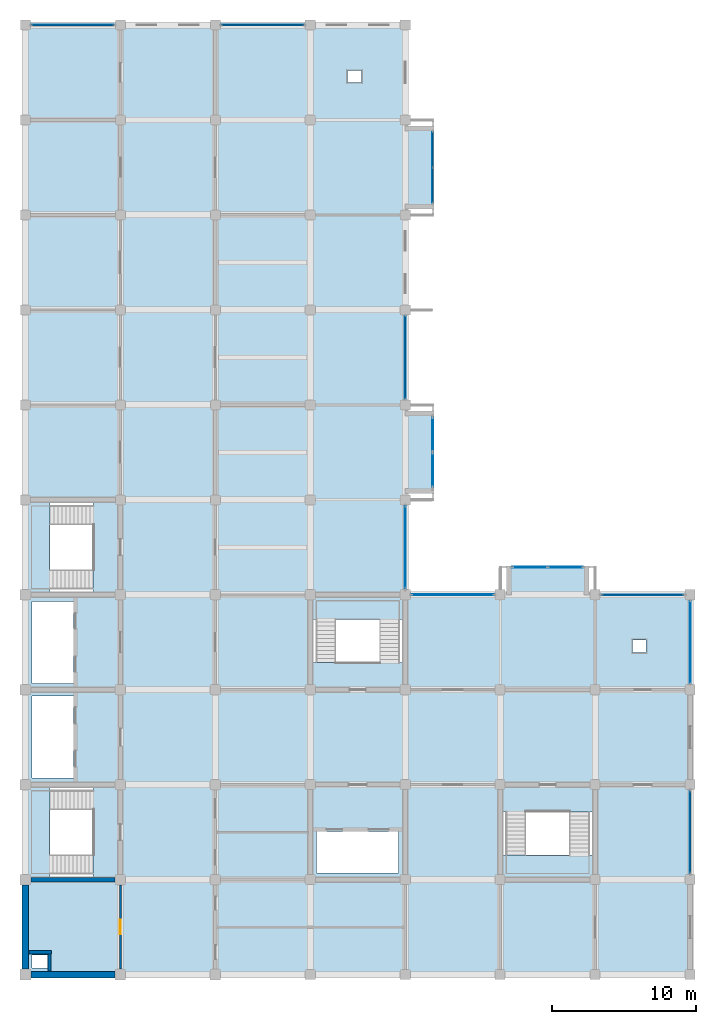
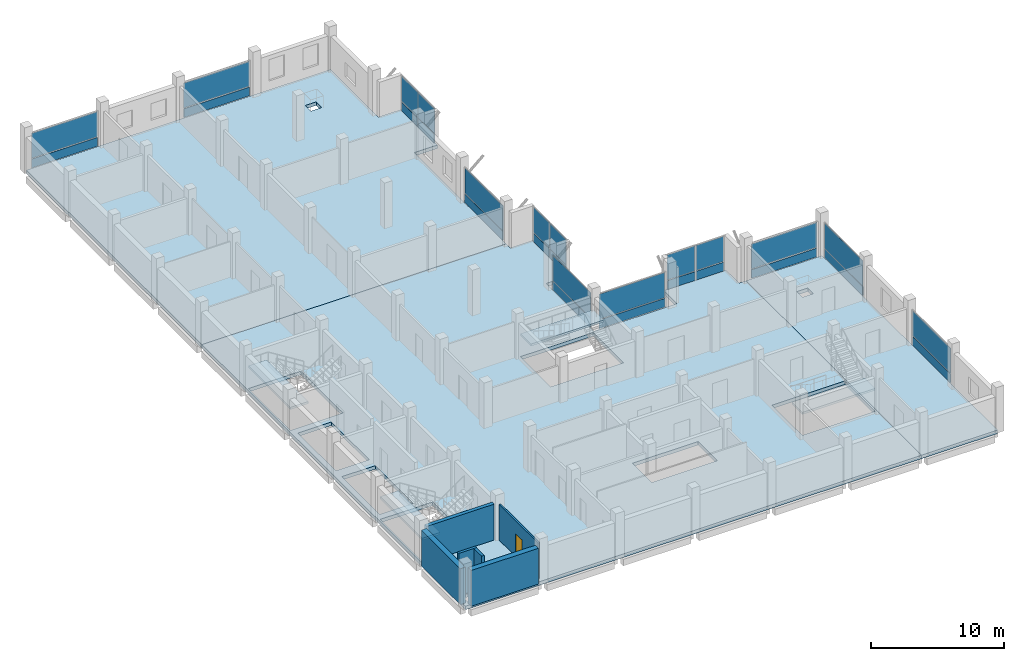
# One storey, part 6 of 11: 28 plates, 7 slabs, 6 walls, 1 door, 1 opening, 15 elements without a shape of their own.
"""IFC4 building model written with IfcOpenShell, lengths in metres."""

from ifc_helpers import new_model, si_unit, direction, frame, frame_2d, origin, origin_2d, place, context, subcontext, project, spatial, polyline, rectangle, outline, extrude, material, layer, layer_set, type_object, element, fill, aggregate, save


model = new_model("IFC4")

# Units and contexts
model_context = context("Model", 3, precision=1e-05, world=origin(), true_north=direction((0.0, 1.0)))
body_context = subcontext(model_context, "Body", "Model", "MODEL_VIEW")
ifc_project = project(units=[si_unit("LENGTHUNIT", "METRE"), si_unit("AREAUNIT", "SQUARE_METRE"), si_unit("VOLUMEUNIT", "CUBIC_METRE"), si_unit("PLANEANGLEUNIT", "RADIAN"), si_unit("MASSUNIT", "GRAM", prefix="KILO")], contexts=[model_context])

# Site, building, storey
site_placement = place(None, origin())
site = spatial("IfcSite", under=ifc_project, at=site_placement, CompositionType="ELEMENT")
building_placement = place(site_placement, origin())
building = spatial("IfcBuilding", under=site, at=building_placement, Name="Rusizi Kubbe Research Institute", CompositionType="ELEMENT")
storey_placement = place(building_placement, frame((0.0, 0.0, 39.60009765625)))
storey = spatial("IfcBuildingStorey", under=building, at=storey_placement, Name="L09", CompositionType="ELEMENT", Elevation=39.60009765625)

# Curtain wall, plate
ifc_material_1 = material(Name="Thermally Broken Aluminium and Low-E Glazing", Category="aluminium")
curtain_wall_type_1 = type_object("IfcCurtainWallType", Name="CW-12", PredefinedType="NOTDEFINED", material=ifc_material_1)
curtain_wall_1_placement = place(storey_placement, origin())
curtain_wall_1 = element("IfcCurtainWall", 1, at=curtain_wall_1_placement, inside=storey, type_object=curtain_wall_type_1, Name="Unitised Facade Curtain Wall CW-L09-H-04-04", PredefinedType="NOTDEFINED")
ifc_material_2 = material(Name="Double Low-E Solar Control Insulated Glass", Category="glass")
ifc_layer_1 = layer(ifc_material_2, 0.02392578125)
ifc_layer_set_1 = layer_set([ifc_layer_1], Name="Double Low-E Solar Control Insulated Glass")
plate_type_1 = type_object("IfcPlateType", Name="GL-01", PredefinedType="CURTAIN_PANEL", material=ifc_layer_set_1)
plate_1_placement = place(storey_placement, frame((29.699951171875, 26.39990234375, 0.9296875), z_axis=(0.0, 0.0, 1.0), x_axis=(1.0, 0.0, 0.0)))
plate_1 = element("IfcPlate", 2, at=plate_1_placement, type_object=plate_type_1, Name="CW-12 panel 1.2", PredefinedType="CURTAIN_PANEL", context=body_context, shape_type="SweptSolid", body=[
    extrude(rectangle(XDim=5.7099609375, YDim=0.02392578125, at=origin_2d()), origin(), (0.0, 0.0, 1.0), 2.300048828125),
])

# Curtain wall, plates
ifc_material_3 = material(Name="Thermally Broken Aluminium and Low-E Glazing", Category="aluminium")
curtain_wall_type_2 = type_object("IfcCurtainWallType", Name="CW-04", PredefinedType="NOTDEFINED", material=ifc_material_3)
curtain_wall_2_placement = place(storey_placement, origin())
curtain_wall_2 = element("IfcCurtainWall", 3, at=curtain_wall_2_placement, inside=storey, type_object=curtain_wall_type_2, Name="Cumba Glazed Curtain Wall CW-CUMBA-L09-105", PredefinedType="NOTDEFINED")
ifc_material_4 = material(Name="Double Low-E Solar Control Insulated Glass", Category="glass")
ifc_layer_2 = layer(ifc_material_4, 0.028076171875)
ifc_layer_set_2 = layer_set([ifc_layer_2], Name="Double Low-E Solar Control Insulated Glass")
plate_type_2 = type_object("IfcPlateType", Name="GL-02", PredefinedType="CURTAIN_PANEL", material=ifc_layer_set_2)
plate_2_placement = place(storey_placement, frame((35.058837890625, 28.300048828125, 0.9296875), z_axis=(0.0, 0.0, 1.0), x_axis=(1.0, 0.0, 0.0)))
plate_2 = element("IfcPlate", 4, at=plate_2_placement, type_object=plate_type_2, Name="CW-04 panel 1.2", PredefinedType="CURTAIN_PANEL", context=body_context, shape_type="SweptSolid", body=[
    extrude(rectangle(XDim=2.41259765625, YDim=0.028076171875, at=origin_2d()), origin(), (0.0, 0.0, 1.0), 2.300048828125),
])
plate_3_placement = place(storey_placement, frame((37.541259765625, 28.300048828125, 0.9296875), z_axis=(0.0, 0.0, 1.0), x_axis=(1.0, 0.0, 0.0)))
plate_3 = element("IfcPlate", 5, at=plate_3_placement, type_object=plate_type_2, Name="CW-04 panel 2.2", PredefinedType="CURTAIN_PANEL", context=body_context, shape_type="SweptSolid", body=[
    extrude(rectangle(XDim=2.41259765625, YDim=0.028076171875, at=origin_2d()), origin(), (0.0, 0.0, 1.0), 2.300048828125),
])

# Curtain wall, plate
curtain_wall_3_placement = place(storey_placement, origin())
curtain_wall_3 = element("IfcCurtainWall", 6, at=curtain_wall_3_placement, inside=storey, type_object=curtain_wall_type_1, Name="Unitised Facade Curtain Wall CW-L09-H-00-10", PredefinedType="NOTDEFINED")
ifc_material_5 = material(Name="Double Low-E Solar Control Insulated Glass", Category="glass")
ifc_layer_3 = layer(ifc_material_5, 0.031982421875)
ifc_layer_set_3 = layer_set([ifc_layer_3], Name="Double Low-E Solar Control Insulated Glass")
plate_type_3 = type_object("IfcPlateType", Name="GL-03", PredefinedType="CURTAIN_PANEL", material=ifc_layer_set_3)
plate_4_placement = place(storey_placement, frame((3.300048828125, 66.0, 0.932373046875), z_axis=(0.0, 0.0, 1.0), x_axis=(1.0, 0.0, 0.0)))
plate_4 = element("IfcPlate", 7, at=plate_4_placement, type_object=plate_type_3, Name="CW-12 panel 1.2", PredefinedType="CURTAIN_PANEL", context=body_context, shape_type="SweptSolid", body=[
    extrude(rectangle(XDim=5.7099609375, YDim=0.031982421875, at=origin_2d()), origin(), (0.0, 0.0, 1.0), 2.29248046875),
])

ifc_material_6 = material(Name="Thermally Broken Aluminium and Low-E Glazing", Category="aluminium")
curtain_wall_type_3 = type_object("IfcCurtainWallType", Name="CW-13", PredefinedType="NOTDEFINED", material=ifc_material_6)
curtain_wall_4_placement = place(storey_placement, origin())
curtain_wall_4 = element("IfcCurtainWall", 8, at=curtain_wall_4_placement, inside=storey, type_object=curtain_wall_type_3, Name="Unitised Facade Curtain Wall CW-L09-V-07-01", PredefinedType="NOTDEFINED")
plate_5_placement = place(storey_placement, frame((46.199951171875, 9.89990234375, 0.932373046875), z_axis=(0.0, 0.0, 1.0), x_axis=(0.0, 1.0, 0.0)))
plate_5 = element("IfcPlate", 9, at=plate_5_placement, type_object=plate_type_3, Name="CW-13 panel 1.2", PredefinedType="CURTAIN_PANEL", context=body_context, shape_type="SweptSolid", body=[
    extrude(rectangle(XDim=5.68994140625, YDim=0.031982421875, at=origin_2d()), origin(), (0.0, 0.0, 1.0), 2.29248046875),
])

curtain_wall_5_placement = place(storey_placement, origin())
curtain_wall_5 = element("IfcCurtainWall", 10, at=curtain_wall_5_placement, inside=storey, type_object=curtain_wall_type_3, Name="Unitised Facade Curtain Wall CW-L09-H-02-10", PredefinedType="NOTDEFINED")
ifc_material_7 = material(Name="Double Low-E Solar Control Insulated Glass", Category="glass")
ifc_layer_4 = layer(ifc_material_7, 0.035888671875)
ifc_layer_set_4 = layer_set([ifc_layer_4], Name="Double Low-E Solar Control Insulated Glass")
plate_type_4 = type_object("IfcPlateType", Name="GL-04", PredefinedType="CURTAIN_PANEL", material=ifc_layer_set_4)
plate_6_placement = place(storey_placement, frame((16.5, 66.0, 0.93505859375), z_axis=(0.0, 0.0, 1.0), x_axis=(1.0, 0.0, 0.0)))
plate_6 = element("IfcPlate", 11, at=plate_6_placement, type_object=plate_type_4, Name="CW-13 panel 1.2", PredefinedType="CURTAIN_PANEL", context=body_context, shape_type="SweptSolid", body=[
    extrude(rectangle(XDim=5.699951171875, YDim=0.035888671875, at=origin_2d()), origin(), (0.0, 0.0, 1.0), 2.284912109375),
])

curtain_wall_6_placement = place(storey_placement, origin())
curtain_wall_6 = element("IfcCurtainWall", 12, at=curtain_wall_6_placement, inside=storey, type_object=curtain_wall_type_1, Name="Unitised Facade Curtain Wall CW-L09-H-06-04", PredefinedType="NOTDEFINED")
plate_7_placement = place(storey_placement, frame((42.89990234375, 26.39990234375, 0.93505859375), z_axis=(0.0, 0.0, 1.0), x_axis=(1.0, 0.0, 0.0)))
plate_7 = element("IfcPlate", 13, at=plate_7_placement, type_object=plate_type_4, Name="CW-12 panel 1.2", PredefinedType="CURTAIN_PANEL", context=body_context, shape_type="SweptSolid", body=[
    extrude(rectangle(XDim=5.679931640625, YDim=0.035888671875, at=origin_2d()), origin(), (0.0, 0.0, 1.0), 2.284912109375),
])

curtain_wall_7_placement = place(storey_placement, origin())
curtain_wall_7 = element("IfcCurtainWall", 14, at=curtain_wall_7_placement, inside=storey, type_object=curtain_wall_type_1, Name="Unitised Facade Curtain Wall CW-L09-V-04-04", PredefinedType="NOTDEFINED")
ifc_material_8 = material(Name="Double Low-E Solar Control Insulated Glass", Category="glass")
ifc_layer_5 = layer(ifc_material_8, 0.0400390625)
ifc_layer_set_5 = layer_set([ifc_layer_5], Name="Double Low-E Solar Control Insulated Glass")
plate_type_5 = type_object("IfcPlateType", Name="GL-05", PredefinedType="CURTAIN_PANEL", material=ifc_layer_set_5)
plate_8_placement = place(storey_placement, frame((26.39990234375, 29.699951171875, 0.9296875), z_axis=(0.0, 0.0, 1.0), x_axis=(0.0, 1.0, 0.0)))
plate_8 = element("IfcPlate", 15, at=plate_8_placement, type_object=plate_type_5, Name="CW-12 panel 1.2", PredefinedType="CURTAIN_PANEL", context=body_context, shape_type="SweptSolid", body=[
    extrude(rectangle(XDim=5.68994140625, YDim=0.0400390625, at=origin_2d()), origin(), (0.0, 0.0, 1.0), 2.300048828125),
])

curtain_wall_8_placement = place(storey_placement, origin())
curtain_wall_8 = element("IfcCurtainWall", 16, at=curtain_wall_8_placement, inside=storey, type_object=curtain_wall_type_3, Name="Unitised Facade Curtain Wall CW-L09-V-07-03", PredefinedType="NOTDEFINED")
plate_9_placement = place(storey_placement, frame((46.199951171875, 23.10009765625, 0.9296875), z_axis=(0.0, 0.0, 1.0), x_axis=(0.0, 1.0, 0.0)))
plate_9 = element("IfcPlate", 17, at=plate_9_placement, type_object=plate_type_5, Name="CW-13 panel 1.2", PredefinedType="CURTAIN_PANEL", context=body_context, shape_type="SweptSolid", body=[
    extrude(rectangle(XDim=5.719970703125, YDim=0.0400390625, at=origin_2d()), origin(), (0.0, 0.0, 1.0), 2.300048828125),
])

# Curtain wall, plates
curtain_wall_9_placement = place(storey_placement, origin())
curtain_wall_9 = element("IfcCurtainWall", 18, at=curtain_wall_9_placement, inside=storey, type_object=curtain_wall_type_2, Name="Cumba Glazed Curtain Wall CW-CUMBA-L09-101", PredefinedType="NOTDEFINED")
ifc_material_9 = material(Name="Double Low-E Solar Control Insulated Glass", Category="glass")
ifc_layer_6 = layer(ifc_material_9, 0.0439453125)
ifc_layer_set_6 = layer_set([ifc_layer_6], Name="Double Low-E Solar Control Insulated Glass")
plate_type_6 = type_object("IfcPlateType", Name="GL-06", PredefinedType="CURTAIN_PANEL", material=ifc_layer_set_6)
plate_10_placement = place(storey_placement, frame((28.300048828125, 35.061279296875, 0.9296875), z_axis=(0.0, 0.0, 1.0), x_axis=(0.0, 1.0, 0.0)))
plate_10 = element("IfcPlate", 19, at=plate_10_placement, type_object=plate_type_6, Name="CW-04 panel 1.2", PredefinedType="CURTAIN_PANEL", context=body_context, shape_type="SweptSolid", body=[
    extrude(rectangle(XDim=2.3974609375, YDim=0.0439453125, at=origin_2d()), origin(), (0.0, 0.0, 1.0), 2.300048828125),
])
plate_11_placement = place(storey_placement, frame((28.300048828125, 37.538818359375, 0.9296875), z_axis=(0.0, 0.0, 1.0), x_axis=(0.0, 1.0, 0.0)))
plate_11 = element("IfcPlate", 20, at=plate_11_placement, type_object=plate_type_6, Name="CW-04 panel 2.2", PredefinedType="CURTAIN_PANEL", context=body_context, shape_type="SweptSolid", body=[
    extrude(rectangle(XDim=2.3974609375, YDim=0.0439453125, at=origin_2d()), origin(), (0.0, 0.0, 1.0), 2.300048828125),
])

# Curtain wall, plate
curtain_wall_10_placement = place(storey_placement, origin())
curtain_wall_10 = element("IfcCurtainWall", 21, at=curtain_wall_10_placement, inside=storey, type_object=curtain_wall_type_3, Name="Unitised Facade Curtain Wall CW-L09-V-04-06", PredefinedType="NOTDEFINED")
ifc_material_10 = material(Name="Double Low-E Solar Control Insulated Glass", Category="glass")
ifc_layer_7 = layer(ifc_material_10, 0.048095703125)
ifc_layer_set_7 = layer_set([ifc_layer_7], Name="Double Low-E Solar Control Insulated Glass")
plate_type_7 = type_object("IfcPlateType", Name="GL-07", PredefinedType="CURTAIN_PANEL", material=ifc_layer_set_7)
plate_12_placement = place(storey_placement, frame((26.39990234375, 42.89990234375, 0.932373046875), z_axis=(0.0, 0.0, 1.0), x_axis=(0.0, 1.0, 0.0)))
plate_12 = element("IfcPlate", 22, at=plate_12_placement, type_object=plate_type_7, Name="CW-13 panel 1.2", PredefinedType="CURTAIN_PANEL", context=body_context, shape_type="SweptSolid", body=[
    extrude(rectangle(XDim=5.719970703125, YDim=0.048095703125, at=origin_2d()), origin(), (0.0, 0.0, 1.0), 2.29248046875),
])

# Curtain wall, plates
curtain_wall_11_placement = place(storey_placement, origin())
curtain_wall_11 = element("IfcCurtainWall", 23, at=curtain_wall_11_placement, inside=storey, type_object=curtain_wall_type_2, Name="Cumba Glazed Curtain Wall CW-CUMBA-L09-103", PredefinedType="NOTDEFINED")
ifc_material_11 = material(Name="Double Low-E Solar Control Insulated Glass", Category="glass")
ifc_layer_8 = layer(ifc_material_11, 0.052001953125)
ifc_layer_set_8 = layer_set([ifc_layer_8], Name="Double Low-E Solar Control Insulated Glass")
plate_type_8 = type_object("IfcPlateType", Name="GL-08", PredefinedType="CURTAIN_PANEL", material=ifc_layer_set_8)
plate_13_placement = place(storey_placement, frame((28.300048828125, 54.856201171875, 0.93505859375), z_axis=(0.0, 0.0, 1.0), x_axis=(0.0, 1.0, 0.0)))
plate_13 = element("IfcPlate", 24, at=plate_13_placement, type_object=plate_type_8, Name="CW-04 panel 1.2", PredefinedType="CURTAIN_PANEL", context=body_context, shape_type="SweptSolid", body=[
    extrude(rectangle(XDim=2.427490234375, YDim=0.052001953125, at=origin_2d()), origin(), (0.0, 0.0, 1.0), 2.284912109375),
])
plate_14_placement = place(storey_placement, frame((28.300048828125, 57.34375, 0.93505859375), z_axis=(0.0, 0.0, 1.0), x_axis=(0.0, 1.0, 0.0)))
plate_14 = element("IfcPlate", 25, at=plate_14_placement, type_object=plate_type_8, Name="CW-04 panel 2.2", PredefinedType="CURTAIN_PANEL", context=body_context, shape_type="SweptSolid", body=[
    extrude(rectangle(XDim=2.427490234375, YDim=0.052001953125, at=origin_2d()), origin(), (0.0, 0.0, 1.0), 2.284912109375),
])

# Slabs
ifc_material_12 = material(Name="Concrete C40/50", Category="concrete")
ifc_layer_9 = layer(ifc_material_12, 0.320068359375)
ifc_layer_set_9 = layer_set([ifc_layer_9], Name="Concrete C40/50")
slab_type_1 = type_object("IfcSlabType", Name="SL-F320", PredefinedType="FLOOR", material=ifc_layer_set_9)
slab_1_placement = place(storey_placement, frame((0.0, 0.0, -0.320068359375)))
element("IfcSlab", 26, at=slab_1_placement, inside=storey, type_object=slab_type_1, Name="Structural Slab L09 CORE", PredefinedType="FLOOR", context=body_context, shape_type="SweptSolid", body=[
    extrude(outline(polyline([(0.0, 39.60009765625), (6.60009765625, 39.60009765625), (13.199951171875, 39.60009765625), (19.800048828125, 39.60009765625), (26.39990234375, 39.60009765625), (26.39990234375, 39.0), (28.39990234375, 39.0), (28.39990234375, 33.60009765625), (26.39990234375, 33.60009765625), (26.39990234375, 33.0), (26.39990234375, 26.39990234375), (33.0, 26.39990234375), (33.60009765625, 26.39990234375), (33.60009765625, 28.39990234375), (39.0, 28.39990234375), (39.0, 26.39990234375), (39.60009765625, 26.39990234375), (39.60009765625, 19.800048828125), (39.60009765625, 13.199951171875), (39.60009765625, 6.60009765625), (39.60009765625, 0.0), (33.0, 0.0), (26.39990234375, 0.0), (19.800048828125, 0.0), (13.199951171875, 0.0), (6.60009765625, 0.0), (0.0, 0.0), (0.0, 6.60009765625), (0.0, 13.199951171875), (0.0, 19.800048828125), (0.0, 26.39990234375), (0.0, 33.0), (0.0, 39.60009765625)]), holes=[polyline([(0.449951171875, 1.35009765625), (0.449951171875, 0.449951171875), (1.550048828125, 0.449951171875), (1.550048828125, 1.35009765625), (0.449951171875, 1.35009765625)]), polyline([(20.25, 9.949951171875), (20.25, 7.050048828125), (25.949951171875, 7.050048828125), (25.949951171875, 9.949951171875), (20.25, 9.949951171875)]), polyline([(33.139892578125, 11.300048828125), (33.139892578125, 6.739990234375), (39.4599609375, 6.739990234375), (39.4599609375, 11.300048828125), (33.139892578125, 11.300048828125)]), polyline([(0.139892578125, 13.06005859375), (0.139892578125, 6.739990234375), (4.699951171875, 6.739990234375), (4.699951171875, 13.06005859375), (0.139892578125, 13.06005859375)]), polyline([(0.449951171875, 19.35009765625), (0.449951171875, 13.64990234375), (3.35009765625, 13.64990234375), (3.35009765625, 19.35009765625), (0.449951171875, 19.35009765625)]), polyline([(0.449951171875, 25.949951171875), (0.449951171875, 20.25), (3.35009765625, 20.25), (3.35009765625, 25.949951171875), (0.449951171875, 25.949951171875)]), polyline([(19.93994140625, 26.260009765625), (19.93994140625, 21.699951171875), (26.260009765625, 21.699951171875), (26.260009765625, 26.260009765625), (19.93994140625, 26.260009765625)]), polyline([(0.139892578125, 32.860107421875), (0.139892578125, 26.5400390625), (4.699951171875, 26.5400390625), (4.699951171875, 32.860107421875), (0.139892578125, 32.860107421875)])]), origin(), (0.0, 0.0, 1.0), 0.320068359375),
])
slab_2_placement = place(storey_placement, frame((0.0, 0.0, -0.320068359375)))
element("IfcSlab", 27, at=slab_2_placement, inside=storey, type_object=slab_type_1, Name="Structural Slab L09 NORTHA", PredefinedType="FLOOR", context=body_context, shape_type="SweptSolid", body=[
    extrude(outline(polyline([(6.60009765625, 66.0), (13.199951171875, 66.0), (19.800048828125, 66.0), (26.39990234375, 66.0), (26.39990234375, 59.39990234375), (26.39990234375, 58.800048828125), (28.39990234375, 58.800048828125), (28.39990234375, 53.39990234375), (26.39990234375, 53.39990234375), (26.39990234375, 52.800048828125), (26.39990234375, 46.199951171875), (26.39990234375, 39.60009765625), (19.800048828125, 39.60009765625), (13.199951171875, 39.60009765625), (6.60009765625, 39.60009765625), (0.0, 39.60009765625), (0.0, 46.199951171875), (0.0, 52.800048828125), (0.0, 59.39990234375), (0.0, 66.0), (6.60009765625, 66.0)]), holes=[polyline([(23.35009765625, 62.85009765625), (22.39990234375, 62.85009765625), (22.39990234375, 62.0), (23.35009765625, 62.0), (23.35009765625, 62.85009765625)])]), origin(), (0.0, 0.0, 1.0), 0.320068359375),
])
slab_3_placement = place(storey_placement, frame((0.0, 0.0, -0.320068359375)))
element("IfcSlab", 28, at=slab_3_placement, inside=storey, type_object=slab_type_1, Name="Structural Slab L09 EAST", PredefinedType="FLOOR", context=body_context, shape_type="SweptSolid", body=[
    extrude(outline(polyline([(39.60009765625, 6.60009765625), (39.60009765625, 13.199951171875), (39.60009765625, 19.800048828125), (39.60009765625, 26.39990234375), (46.199951171875, 26.39990234375), (46.199951171875, 19.800048828125), (46.199951171875, 13.199951171875), (46.199951171875, 6.60009765625), (46.199951171875, 0.0), (39.60009765625, 0.0), (39.60009765625, 6.60009765625)]), holes=[polyline([(42.199951171875, 23.25), (42.199951171875, 22.39990234375), (43.14990234375, 22.39990234375), (43.14990234375, 23.25), (42.199951171875, 23.25)])]), origin(), (0.0, 0.0, 1.0), 0.320068359375),
])

# Stair, slab
ifc_material_13 = material(Name="Concrete C40/50", Category="concrete")
stair_type_1 = type_object("IfcStairType", Name="ST-H420A", PredefinedType="HALF_TURN_STAIR", material=ifc_material_13)
stair_1_placement = place(storey_placement, origin())
stair_1 = element("IfcStair", 29, at=stair_1_placement, inside=storey, type_object=stair_type_1, Name="Protected Exit Stair ST1 (L09)", PredefinedType="HALF_TURN_STAIR")
ifc_material_14 = material(Name="Concrete C40/50", Category="concrete")
ifc_layer_10 = layer(ifc_material_14, 0.195068359375)
ifc_layer_set_10 = layer_set([ifc_layer_10], Name="Concrete C40/50")
slab_type_2 = type_object("IfcSlabType", Name="SL-L195", PredefinedType="LANDING", material=ifc_layer_set_10)
slab_4_placement = place(storey_placement, frame((0.0, 0.0, 1.90478515625)))
slab_4 = element("IfcSlab", 30, at=slab_4_placement, type_object=slab_type_2, Name="ST1 landing 1", PredefinedType="LANDING", context=body_context, shape_type="SweptSolid", body=[
    extrude(outline(polyline([(1.7060546875, 13.06005859375), (0.139892578125, 13.06005859375), (0.139892578125, 6.739990234375), (1.7060546875, 6.739990234375), (1.7060546875, 13.06005859375)])), origin(), (0.0, 0.0, 1.0), 0.195068359375),
])
aggregate(stair_1, [slab_4])

stair_2_placement = place(storey_placement, origin())
stair_2 = element("IfcStair", 31, at=stair_2_placement, inside=storey, type_object=stair_type_1, Name="Protected Exit Stair ST2 (L09)", PredefinedType="HALF_TURN_STAIR")
slab_5_placement = place(storey_placement, frame((0.0, 0.0, 1.90478515625)))
slab_5 = element("IfcSlab", 32, at=slab_5_placement, type_object=slab_type_2, Name="ST2 landing 1", PredefinedType="LANDING", context=body_context, shape_type="SweptSolid", body=[
    extrude(outline(polyline([(1.7060546875, 32.860107421875), (0.139892578125, 32.860107421875), (0.139892578125, 26.5400390625), (1.7060546875, 26.5400390625), (1.7060546875, 32.860107421875)])), origin(), (0.0, 0.0, 1.0), 0.195068359375),
])
aggregate(stair_2, [slab_5])

ifc_material_15 = material(Name="Concrete C40/50", Category="concrete")
stair_type_2 = type_object("IfcStairType", Name="ST-H420B", PredefinedType="HALF_TURN_STAIR", material=ifc_material_15)
stair_3_placement = place(storey_placement, origin())
stair_3 = element("IfcStair", 33, at=stair_3_placement, inside=storey, type_object=stair_type_2, Name="Protected Exit Stair ST3 (L09)", PredefinedType="HALF_TURN_STAIR")
slab_6_placement = place(storey_placement, frame((0.0, 0.0, 1.90478515625)))
slab_6 = element("IfcSlab", 34, at=slab_6_placement, type_object=slab_type_2, Name="ST3 landing 1", PredefinedType="LANDING", context=body_context, shape_type="SweptSolid", body=[
    extrude(outline(polyline([(26.260009765625, 24.694091796875), (26.260009765625, 26.260009765625), (19.93994140625, 26.260009765625), (19.93994140625, 24.694091796875), (26.260009765625, 24.694091796875)])), origin(), (0.0, 0.0, 1.0), 0.195068359375),
])
aggregate(stair_3, [slab_6])

stair_4_placement = place(storey_placement, origin())
stair_4 = element("IfcStair", 35, at=stair_4_placement, inside=storey, type_object=stair_type_2, Name="Protected Exit Stair ST4 (L09)", PredefinedType="HALF_TURN_STAIR")
slab_7_placement = place(storey_placement, frame((0.0, 0.0, 1.90478515625)))
slab_7 = element("IfcSlab", 36, at=slab_7_placement, type_object=slab_type_2, Name="ST4 landing 1", PredefinedType="LANDING", context=body_context, shape_type="SweptSolid", body=[
    extrude(outline(polyline([(33.139892578125, 8.305908203125), (33.139892578125, 6.739990234375), (39.4599609375, 6.739990234375), (39.4599609375, 8.305908203125), (33.139892578125, 8.305908203125)])), origin(), (0.0, 0.0, 1.0), 0.195068359375),
])
aggregate(stair_4, [slab_7])

# Plate
ifc_material_16 = material(Name="Ceramic-Frit Insulated Spandrel Panel", Category="glass")
ifc_layer_11 = layer(ifc_material_16, 0.05810546875)
ifc_layer_set_11 = layer_set([ifc_layer_11], Name="Ceramic-Frit Insulated Spandrel Panel")
plate_type_9 = type_object("IfcPlateType", Name="SP-01", PredefinedType="CURTAIN_PANEL", material=ifc_layer_set_11)
plate_15_placement = place(storey_placement, frame((26.39990234375, 29.699951171875, 0.059814453125), z_axis=(0.0, 0.0, 1.0), x_axis=(0.0, 1.0, 0.0)))
plate_15 = element("IfcPlate", 37, at=plate_15_placement, type_object=plate_type_9, Name="CW-12 panel 1.1", PredefinedType="CURTAIN_PANEL", context=body_context, shape_type="SweptSolid", body=[
    extrude(rectangle(XDim=5.68994140625, YDim=0.05810546875, at=origin_2d()), origin(), (0.0, 0.0, 1.0), 0.81005859375),
])

aggregate(curtain_wall_7, [plate_15, plate_8])

plate_16_placement = place(storey_placement, frame((29.699951171875, 26.39990234375, 0.059814453125), z_axis=(0.0, 0.0, 1.0), x_axis=(1.0, 0.0, 0.0)))
plate_16 = element("IfcPlate", 38, at=plate_16_placement, type_object=plate_type_9, Name="CW-12 panel 1.1", PredefinedType="CURTAIN_PANEL", context=body_context, shape_type="SweptSolid", body=[
    extrude(rectangle(XDim=5.7099609375, YDim=0.05810546875, at=origin_2d()), origin(), (0.0, 0.0, 1.0), 0.81005859375),
])

aggregate(curtain_wall_1, [plate_16, plate_1])

plate_17_placement = place(storey_placement, frame((46.199951171875, 23.10009765625, 0.059814453125), z_axis=(0.0, 0.0, 1.0), x_axis=(0.0, 1.0, 0.0)))
plate_17 = element("IfcPlate", 39, at=plate_17_placement, type_object=plate_type_9, Name="CW-13 panel 1.1", PredefinedType="CURTAIN_PANEL", context=body_context, shape_type="SweptSolid", body=[
    extrude(rectangle(XDim=5.719970703125, YDim=0.05810546875, at=origin_2d()), origin(), (0.0, 0.0, 1.0), 0.81005859375),
])

aggregate(curtain_wall_8, [plate_17, plate_9])

ifc_material_17 = material(Name="Ceramic-Frit Insulated Spandrel Panel", Category="glass")
ifc_layer_12 = layer(ifc_material_17, 0.06396484375)
ifc_layer_set_12 = layer_set([ifc_layer_12], Name="Ceramic-Frit Insulated Spandrel Panel")
plate_type_10 = type_object("IfcPlateType", Name="SP-02", PredefinedType="CURTAIN_PANEL", material=ifc_layer_set_12)
plate_18_placement = place(storey_placement, frame((28.300048828125, 35.061279296875, 0.059814453125), z_axis=(0.0, 0.0, 1.0), x_axis=(0.0, 1.0, 0.0)))
plate_18 = element("IfcPlate", 40, at=plate_18_placement, type_object=plate_type_10, Name="CW-04 panel 1.1", PredefinedType="CURTAIN_PANEL", context=body_context, shape_type="SweptSolid", body=[
    extrude(rectangle(XDim=2.3974609375, YDim=0.06396484375, at=origin_2d()), origin(), (0.0, 0.0, 1.0), 0.81005859375),
])

plate_19_placement = place(storey_placement, frame((28.300048828125, 37.538818359375, 0.059814453125), z_axis=(0.0, 0.0, 1.0), x_axis=(0.0, 1.0, 0.0)))
plate_19 = element("IfcPlate", 41, at=plate_19_placement, type_object=plate_type_10, Name="CW-04 panel 2.1", PredefinedType="CURTAIN_PANEL", context=body_context, shape_type="SweptSolid", body=[
    extrude(rectangle(XDim=2.3974609375, YDim=0.06396484375, at=origin_2d()), origin(), (0.0, 0.0, 1.0), 0.81005859375),
])

aggregate(curtain_wall_9, [plate_18, plate_10, plate_19, plate_11])

plate_20_placement = place(storey_placement, frame((35.058837890625, 28.300048828125, 0.059814453125), z_axis=(0.0, 0.0, 1.0), x_axis=(1.0, 0.0, 0.0)))
plate_20 = element("IfcPlate", 42, at=plate_20_placement, type_object=plate_type_10, Name="CW-04 panel 1.1", PredefinedType="CURTAIN_PANEL", context=body_context, shape_type="SweptSolid", body=[
    extrude(rectangle(XDim=2.41259765625, YDim=0.06396484375, at=origin_2d()), origin(), (0.0, 0.0, 1.0), 0.81005859375),
])

plate_21_placement = place(storey_placement, frame((37.541259765625, 28.300048828125, 0.059814453125), z_axis=(0.0, 0.0, 1.0), x_axis=(1.0, 0.0, 0.0)))
plate_21 = element("IfcPlate", 43, at=plate_21_placement, type_object=plate_type_10, Name="CW-04 panel 2.1", PredefinedType="CURTAIN_PANEL", context=body_context, shape_type="SweptSolid", body=[
    extrude(rectangle(XDim=2.41259765625, YDim=0.06396484375, at=origin_2d()), origin(), (0.0, 0.0, 1.0), 0.81005859375),
])

aggregate(curtain_wall_2, [plate_20, plate_2, plate_21, plate_3])

ifc_material_18 = material(Name="Ceramic-Frit Insulated Spandrel Panel", Category="glass")
ifc_layer_13 = layer(ifc_material_18, 0.070068359375)
ifc_layer_set_13 = layer_set([ifc_layer_13], Name="Ceramic-Frit Insulated Spandrel Panel")
plate_type_11 = type_object("IfcPlateType", Name="SP-03", PredefinedType="CURTAIN_PANEL", material=ifc_layer_set_13)
plate_22_placement = place(storey_placement, frame((3.300048828125, 66.0, 0.06494140625), z_axis=(0.0, 0.0, 1.0), x_axis=(1.0, 0.0, 0.0)))
plate_22 = element("IfcPlate", 44, at=plate_22_placement, type_object=plate_type_11, Name="CW-12 panel 1.1", PredefinedType="CURTAIN_PANEL", context=body_context, shape_type="SweptSolid", body=[
    extrude(rectangle(XDim=5.7099609375, YDim=0.070068359375, at=origin_2d()), origin(), (0.0, 0.0, 1.0), 0.802490234375),
])

aggregate(curtain_wall_3, [plate_22, plate_4])

plate_23_placement = place(storey_placement, frame((26.39990234375, 42.89990234375, 0.06494140625), z_axis=(0.0, 0.0, 1.0), x_axis=(0.0, 1.0, 0.0)))
plate_23 = element("IfcPlate", 45, at=plate_23_placement, type_object=plate_type_11, Name="CW-13 panel 1.1", PredefinedType="CURTAIN_PANEL", context=body_context, shape_type="SweptSolid", body=[
    extrude(rectangle(XDim=5.719970703125, YDim=0.070068359375, at=origin_2d()), origin(), (0.0, 0.0, 1.0), 0.802490234375),
])

aggregate(curtain_wall_10, [plate_23, plate_12])

plate_24_placement = place(storey_placement, frame((46.199951171875, 9.89990234375, 0.06494140625), z_axis=(0.0, 0.0, 1.0), x_axis=(0.0, 1.0, 0.0)))
plate_24 = element("IfcPlate", 46, at=plate_24_placement, type_object=plate_type_11, Name="CW-13 panel 1.1", PredefinedType="CURTAIN_PANEL", context=body_context, shape_type="SweptSolid", body=[
    extrude(rectangle(XDim=5.68994140625, YDim=0.070068359375, at=origin_2d()), origin(), (0.0, 0.0, 1.0), 0.802490234375),
])

aggregate(curtain_wall_4, [plate_24, plate_5])

ifc_material_19 = material(Name="Ceramic-Frit Insulated Spandrel Panel", Category="glass")
ifc_layer_14 = layer(ifc_material_19, 0.075927734375)
ifc_layer_set_14 = layer_set([ifc_layer_14], Name="Ceramic-Frit Insulated Spandrel Panel")
plate_type_12 = type_object("IfcPlateType", Name="SP-04", PredefinedType="CURTAIN_PANEL", material=ifc_layer_set_14)
plate_25_placement = place(storey_placement, frame((16.5, 66.0, 0.06982421875), z_axis=(0.0, 0.0, 1.0), x_axis=(1.0, 0.0, 0.0)))
plate_25 = element("IfcPlate", 47, at=plate_25_placement, type_object=plate_type_12, Name="CW-13 panel 1.1", PredefinedType="CURTAIN_PANEL", context=body_context, shape_type="SweptSolid", body=[
    extrude(rectangle(XDim=5.699951171875, YDim=0.075927734375, at=origin_2d()), origin(), (0.0, 0.0, 1.0), 0.794921875),
])

aggregate(curtain_wall_5, [plate_25, plate_6])

plate_26_placement = place(storey_placement, frame((28.300048828125, 54.856201171875, 0.06982421875), z_axis=(0.0, 0.0, 1.0), x_axis=(0.0, 1.0, 0.0)))
plate_26 = element("IfcPlate", 48, at=plate_26_placement, type_object=plate_type_12, Name="CW-04 panel 1.1", PredefinedType="CURTAIN_PANEL", context=body_context, shape_type="SweptSolid", body=[
    extrude(rectangle(XDim=2.427490234375, YDim=0.075927734375, at=origin_2d()), origin(), (0.0, 0.0, 1.0), 0.794921875),
])

plate_27_placement = place(storey_placement, frame((28.300048828125, 57.34375, 0.06982421875), z_axis=(0.0, 0.0, 1.0), x_axis=(0.0, 1.0, 0.0)))
plate_27 = element("IfcPlate", 49, at=plate_27_placement, type_object=plate_type_12, Name="CW-04 panel 2.1", PredefinedType="CURTAIN_PANEL", context=body_context, shape_type="SweptSolid", body=[
    extrude(rectangle(XDim=2.427490234375, YDim=0.075927734375, at=origin_2d()), origin(), (0.0, 0.0, 1.0), 0.794921875),
])

aggregate(curtain_wall_11, [plate_26, plate_13, plate_27, plate_14])

plate_28_placement = place(storey_placement, frame((42.89990234375, 26.39990234375, 0.06982421875), z_axis=(0.0, 0.0, 1.0), x_axis=(1.0, 0.0, 0.0)))
plate_28 = element("IfcPlate", 50, at=plate_28_placement, type_object=plate_type_12, Name="CW-12 panel 1.1", PredefinedType="CURTAIN_PANEL", context=body_context, shape_type="SweptSolid", body=[
    extrude(rectangle(XDim=5.679931640625, YDim=0.075927734375, at=origin_2d()), origin(), (0.0, 0.0, 1.0), 0.794921875),
])

aggregate(curtain_wall_6, [plate_28, plate_7])

# Walls
ifc_material_20 = material(Name="Concrete C45/55", Category="concrete")
ifc_layer_15 = layer(ifc_material_20, 0.31494140625)
ifc_layer_set_15 = layer_set([ifc_layer_15], Name="Concrete C45/55")
wall_type_1 = type_object("IfcWallType", Name="CRW-02", PredefinedType="SHEAR", material=ifc_layer_set_15)
wall_1_placement = place(storey_placement, frame((0.375, 6.60009765625, 0.0), z_axis=(0.0, 0.0, 1.0), x_axis=(1.0, 0.0, 0.0)))
element("IfcWall", 51, at=wall_1_placement, inside=storey, type_object=wall_type_1, Name="Stair Core Shear Wall ST1 L09 S", PredefinedType="SHEAR", context=body_context, shape_type="SweptSolid", body=[
    extrude(rectangle(XDim=5.85009765625, YDim=0.31494140625, at=frame_2d((2.925048828125, 0.0))), origin(), (0.0, 0.0, 1.0), 3.289794921875),
])
ifc_material_21 = material(Name="Concrete Blockwork Fire Partition", Category="masonry")
ifc_layer_16 = layer(ifc_material_21, 0.22509765625)
ifc_layer_set_16 = layer_set([ifc_layer_16], Name="Concrete Blockwork Fire Partition")
wall_type_2 = type_object("IfcWallType", Name="IW-01", PredefinedType="PARTITIONING", material=ifc_layer_set_16)
wall_2_placement = place(storey_placement, frame((1.679931640625, 0.260009765625, 0.0), z_axis=(0.0, 0.0, 1.0), x_axis=(0.0, 1.0, 0.0)))
element("IfcWall", 52, at=wall_2_placement, inside=storey, type_object=wall_type_2, Name="Riser Shaft Wall E L09", PredefinedType="PARTITIONING", context=body_context, shape_type="SweptSolid", body=[
    extrude(rectangle(XDim=1.169921875, YDim=0.22509765625, at=frame_2d((0.5849609375, 0.0))), origin(), (0.0, 0.0, 1.0), 3.889892578125),
])
wall_3_placement = place(storey_placement, frame((0.260009765625, 1.550048828125, 0.0), z_axis=(0.0, 0.0, 1.0), x_axis=(1.0, 0.0, 0.0)))
element("IfcWall", 53, at=wall_3_placement, inside=storey, type_object=wall_type_2, Name="Riser Shaft Wall N L09", PredefinedType="PARTITIONING", context=body_context, shape_type="SweptSolid", body=[
    extrude(rectangle(XDim=1.5400390625, YDim=0.22509765625, at=frame_2d((0.77001953125, 0.0))), origin(), (0.0, 0.0, 1.0), 3.889892578125),
])

# Wall, opening, door
ifc_material_22 = material(Name="Write-up Glazed Acoustic Partition", Category="masonry")
ifc_layer_17 = layer(ifc_material_22, 0.139892578125)
ifc_layer_set_17 = layer_set([ifc_layer_17], Name="Write-up Glazed Acoustic Partition")
wall_type_3 = type_object("IfcWallType", Name="IW-05", PredefinedType="PARTITIONING", material=ifc_layer_set_17)
wall_4_placement = place(storey_placement, frame((6.60009765625, 0.375, 0.0), z_axis=(0.0, 0.0, 1.0), x_axis=(0.0, 1.0, 0.0)))
wall_4 = element("IfcWall", 54, at=wall_4_placement, inside=storey, type_object=wall_type_3, Name="Interior Partition Wall L09 V1-0", PredefinedType="PARTITIONING", context=body_context, shape_type="SweptSolid", body=[
    extrude(rectangle(XDim=5.85009765625, YDim=0.139892578125, at=frame_2d((2.925048828125, 0.0))), origin(), (0.0, 0.0, 1.0), 3.289794921875),
])
opening_placement = place(wall_4_placement, frame((2.425048828125, 0.0, 0.0)))
opening = element("IfcOpeningElement", 55, at=opening_placement, cuts=wall_4, Name="Opening D-04", PredefinedType="OPENING", context=body_context, shape_type="SweptSolid", body=[
    extrude(rectangle(XDim=1.0, YDim=2.10009765625, at=frame_2d((0.5, 1.050048828125))), frame((0.0, 0.079833984375, 0.0), z_axis=(0.0, -1.0, 0.0), x_axis=(1.0, 0.0, 0.0)), (0.0, 0.0, 1.0), 0.159912109375),
])
ifc_material_23 = material(Name="Fire-Rated Steel Frame and Acoustic Timber Leaf", Category="wood")
door_type = type_object("IfcDoorType", Name="ID-MEP-100", OperationType="NOTDEFINED", PredefinedType="DOOR", material=ifc_material_23)
door_placement = place(opening_placement, origin())
door = element("IfcDoor", 56, at=door_placement, inside=storey, type_object=door_type, Name="Door to Service Spine Utility Riser Room (L09-MEP-01)", OperationType="SINGLE_SWING_RIGHT", OverallHeight=2.10009765625, OverallWidth=1.0, PredefinedType="DOOR", context=body_context, shape_type="SweptSolid", body=[
    extrude(rectangle(XDim=1.0, YDim=2.10009765625, at=frame_2d((0.5, 1.050048828125))), frame((0.0, 0.02490234375, 0.0), z_axis=(0.0, -1.0, 0.0), x_axis=(1.0, 0.0, 0.0)), (0.0, 0.0, 1.0), 0.050048828125),
])
fill(opening, door)

# Walls
ifc_material_24 = material(Name="Concrete C40/50", Category="concrete")
ifc_layer_18 = layer(ifc_material_24, 0.4599609375)
ifc_layer_set_18 = layer_set([ifc_layer_18], Name="Concrete C40/50")
wall_type_4 = type_object("IfcWallType", Name="PW-02", PredefinedType="SOLIDWALL", material=ifc_layer_set_18)
for number, where, z_axis, x_axis, name in (
    (57, (0.375, 0.0, 0.0), (0.0, 0.0, 1.0), (1.0, 0.0, 0.0), "Blind Party Wall L09 H0-0"),
    (58, (0.0, 0.375, 0.0), (0.0, 0.0, 1.0), (0.0, 1.0, 0.0), "Blind Party Wall L09 V0-0"),
):
    element("IfcWall", number, at=place(storey_placement, frame(where, z_axis=z_axis, x_axis=x_axis)), inside=storey, type_object=wall_type_4, Name=name, PredefinedType="SOLIDWALL", context=body_context, shape_type="SweptSolid", body=[
        extrude(rectangle(XDim=5.85009765625, YDim=0.4599609375, at=frame_2d((2.925048828125, 0.0))), origin(), (0.0, 0.0, 1.0), 3.289794921875),
    ])

save(model, "model.ifc")
